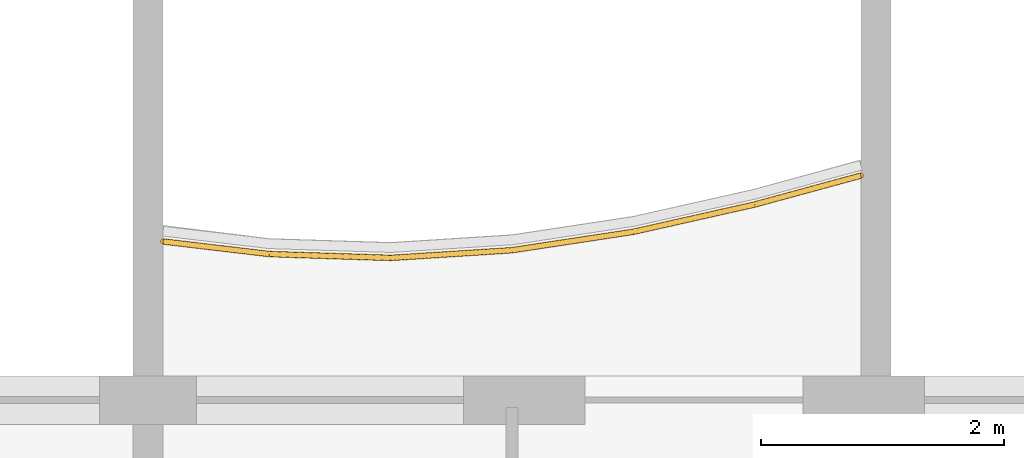
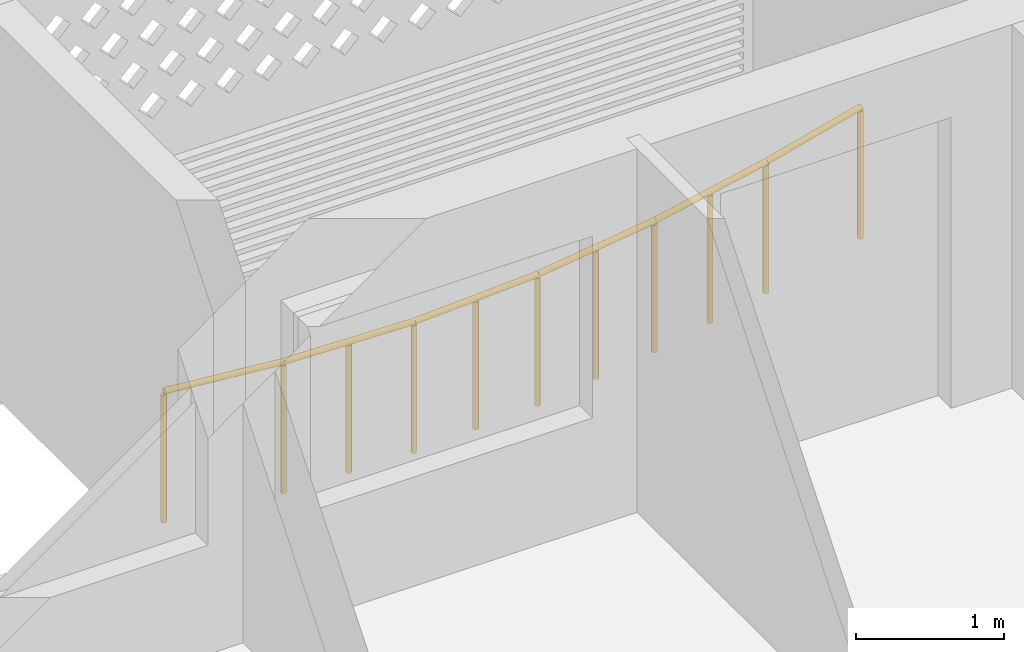
# One storey, part 22 of 27: 1 railing.
"""IFC4 building model written with IfcOpenShell, lengths in metres."""

from ifc_helpers import new_model, si_unit, direction, frame, origin, origin_2d, place, context, subcontext, project, spatial, circle, extrude, material, type_object, element, save


model = new_model("IFC4")

# Units and contexts
model_context = context("Model", 3, precision=1e-05, world=origin(), true_north=direction((0.0, 1.0)))
body_context = subcontext(model_context, "Body", "Model", "MODEL_VIEW")
ifc_project = project(units=[si_unit("LENGTHUNIT", "METRE"), si_unit("AREAUNIT", "SQUARE_METRE"), si_unit("VOLUMEUNIT", "CUBIC_METRE"), si_unit("PLANEANGLEUNIT", "RADIAN"), si_unit("MASSUNIT", "GRAM", prefix="KILO")], contexts=[model_context])

# Site, building, storey
site_placement = place(None, origin())
site = spatial("IfcSite", under=ifc_project, at=site_placement, CompositionType="ELEMENT")
building_placement = place(site_placement, origin())
building = spatial("IfcBuilding", under=site, at=building_placement, Name="Poui Terraces", CompositionType="ELEMENT")
storey_placement = place(building_placement, frame((0.0, 0.0, 208.199951171875)))
storey = spatial("IfcBuildingStorey", under=building, at=storey_placement, Name="L58", CompositionType="ELEMENT", Elevation=208.199951171875)

# Railing
ifc_material = material(Name="Painted steel fretwork", Category="steel")
railing_type = type_object("IfcRailingType", Name="BALCONY GUARD 1100", PredefinedType="GUARDRAIL", material=ifc_material)
railing_placement = place(storey_placement, frame((48.125, 42.506591796875, 0.0)))
element("IfcRailing", 1, at=railing_placement, inside=storey, type_object=railing_type, Name="BALCONY GUARD", PredefinedType="GUARDRAIL", context=body_context, shape_type="SweptSolid", body=[
    extrude(circle(Radius=0.02392578125, at=origin_2d()), frame((0.0, 0.0, 1.076171875), z_axis=(0.993074741363, -0.117484288599, 0.0), x_axis=(0.117484288599, 0.993074741363, 0.0)), (0.0, 0.0, 1.0), 0.881103515625),
    extrude(circle(Radius=0.02392578125, at=origin_2d()), frame((0.875, -0.103515625, 1.076171875), z_axis=(0.999496720941, -0.031722308038, 0.0), x_axis=(0.031722308038, 0.999496720941, 0.0)), (0.0, 0.0, 1.0), 1.00048828125),
    extrude(circle(Radius=0.02392578125, at=origin_2d()), frame((1.875, -0.13525390625, 1.076171875), z_axis=(0.998006805525, 0.063106387361, 0.0), x_axis=(-0.063106387361, 0.998006805525, 0.0)), (0.0, 0.0, 1.0), 1.001953125),
    extrude(circle(Radius=0.02392578125, at=origin_2d()), frame((2.875, -0.072021484375, 1.076171875), z_axis=(0.988665614785, 0.15013428037, 0.0), x_axis=(-0.15013428037, 0.988665614785, 0.0)), (0.0, 0.0, 1.0), 1.011474609375),
    extrude(circle(Radius=0.02392578125, at=origin_2d()), frame((3.875, 0.079833984375, 1.076171875), z_axis=(0.975640353268, 0.219376163418, 0.0), x_axis=(-0.219376163418, 0.975640353268, 0.0)), (0.0, 0.0, 1.0), 1.02490234375),
    extrude(circle(Radius=0.02392578125, at=origin_2d()), frame((4.875, 0.3046875, 1.076171875), z_axis=(0.964863154502, 0.26275291261, 0.0), x_axis=(-0.26275291261, 0.964863154502, 0.0)), (0.0, 0.0, 1.0), 0.906982421875),
    extrude(circle(Radius=0.02099609375, at=origin_2d()), origin(), (0.0, 0.0, 1.0), 1.052001953125),
    extrude(circle(Radius=0.02099609375, at=origin_2d()), frame((0.875, -0.103515625, 0.0)), (0.0, 0.0, 1.0), 1.052001953125),
    extrude(circle(Radius=0.02099609375, at=origin_2d()), frame((1.375, -0.119384765625, 0.0)), (0.0, 0.0, 1.0), 1.052001953125),
    extrude(circle(Radius=0.02099609375, at=origin_2d()), frame((1.875, -0.13525390625, 0.0)), (0.0, 0.0, 1.0), 1.052001953125),
    extrude(circle(Radius=0.02099609375, at=origin_2d()), frame((2.375, -0.103515625, 0.0)), (0.0, 0.0, 1.0), 1.052001953125),
    extrude(circle(Radius=0.02099609375, at=origin_2d()), frame((2.875, -0.072021484375, 0.0)), (0.0, 0.0, 1.0), 1.052001953125),
    extrude(circle(Radius=0.02099609375, at=origin_2d()), frame((3.375, 0.00390625, 0.0)), (0.0, 0.0, 1.0), 1.052001953125),
    extrude(circle(Radius=0.02099609375, at=origin_2d()), frame((3.875, 0.079833984375, 0.0)), (0.0, 0.0, 1.0), 1.052001953125),
    extrude(circle(Radius=0.02099609375, at=origin_2d()), frame((4.375, 0.1923828125, 0.0)), (0.0, 0.0, 1.0), 1.052001953125),
    extrude(circle(Radius=0.02099609375, at=origin_2d()), frame((4.875, 0.3046875, 0.0)), (0.0, 0.0, 1.0), 1.052001953125),
    extrude(circle(Radius=0.02099609375, at=origin_2d()), frame((5.75, 0.54296875, 0.0)), (0.0, 0.0, 1.0), 1.052001953125),
])

save(model, "model.ifc")
